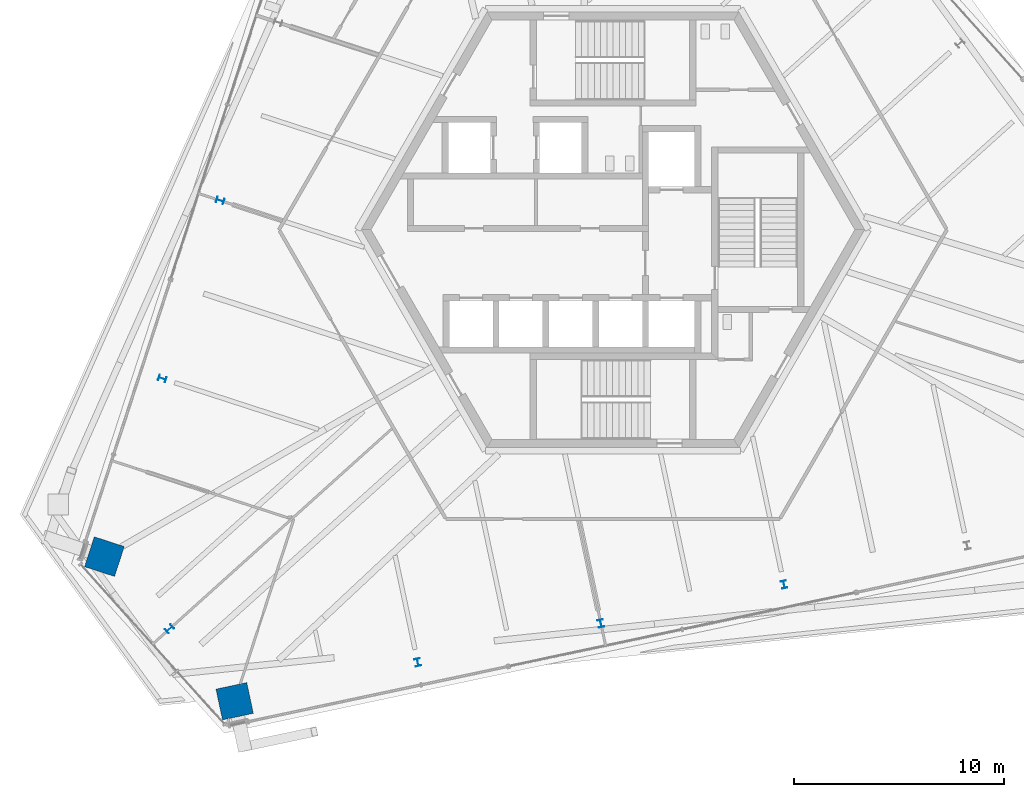
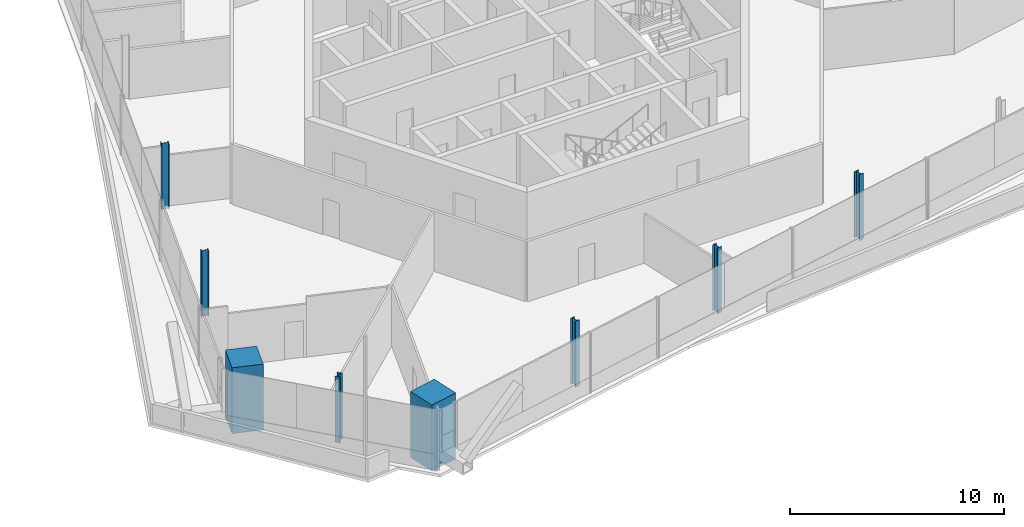
# One storey, part 1 of 20: 8 columns.
"""IFC4 building model written with IfcOpenShell, lengths in metres."""

import ifcopenshell
import ifcopenshell.guid

model = None  # the IFC model being written
_history = None  # IfcOwnerHistory: only IFC2X3 demands one
_inside = {}  # id of a spatial element -> (the spatial element, [elements in it])
_under = {}  # id of a project, library or spatial element -> (it, [spatial elements below it])
_declared = {}  # id of a project -> (the project, [libraries it declares])
_typed = {}  # id of a type object -> (the type object, [elements of that type])
_made_of = {}  # id of a material, layer set ... -> (it, [elements and type objects made of it])


def new_model(schema):
    """Start an empty IFC model of exactly this schema.

    Asked for "IFC4X3", IfcOpenShell would pick the latest addendum, in which some entities
    have other attributes; the version numbers below select the first issue.
    IFC2X3 requires an IfcOwnerHistory on every rooted entity: one is made here for all.
    """
    global model, _history
    if schema == "IFC4X3":
        model = ifcopenshell.file(schema_version=(4, 3, 0, 0))
    else:
        model = ifcopenshell.file(schema=schema)
    _inside.clear()
    _under.clear()
    _declared.clear()
    _typed.clear()
    _made_of.clear()
    _history = None
    if model.schema == "IFC2X3":
        org = make("IfcOrganization", Name="unknown")
        user = make(
            "IfcPersonAndOrganization",
            ThePerson=make("IfcPerson", FamilyName="unknown"),
            TheOrganization=org,
        )
        app = make(
            "IfcApplication",
            ApplicationDeveloper=org,
            Version="unknown",
            ApplicationFullName="unknown",
            ApplicationIdentifier="unknown",
        )
        _history = make(
            "IfcOwnerHistory",
            OwningUser=user,
            OwningApplication=app,
            ChangeAction="ADDED",
            CreationDate=0,
        )
    return model


def make(cls, **values):
    """One entity of the class cls with the attributes given. An attribute that is None is left unset."""
    return model.create_entity(
        cls, **{name: value for name, value in values.items() if value is not None}
    )


def rooted(cls, **values):
    """An entity with a GlobalId (a new one), such as an element, a storey or a relation."""
    return make(cls, GlobalId=ifcopenshell.guid.new(), OwnerHistory=_history, **values)


def si_unit(unit_type, name, prefix=None):
    """IfcSIUnit, for example si_unit("LENGTHUNIT", "METRE", prefix="MILLI")."""
    return make("IfcSIUnit", UnitType=unit_type, Prefix=prefix, Name=name)


def assignment(units):
    """IfcUnitAssignment: the units of a project."""
    return None if units is None else make("IfcUnitAssignment", Units=units)


def point(xyz):
    """IfcCartesianPoint."""
    return None if xyz is None else make("IfcCartesianPoint", Coordinates=xyz)


def direction(xyz):
    """IfcDirection."""
    return None if xyz is None else make("IfcDirection", DirectionRatios=xyz)


def frame(location, z_axis=None, x_axis=None):
    """IfcAxis2Placement3D, a coordinate frame: its origin and axes. An axis left out is left unset."""
    return make(
        "IfcAxis2Placement3D",
        Location=point(location),
        Axis=direction(z_axis),
        RefDirection=direction(x_axis),
    )


def frame_2d(location, x_axis=None):
    """IfcAxis2Placement2D, a coordinate frame in the plane: its origin and x axis."""
    return make(
        "IfcAxis2Placement2D", Location=point(location), RefDirection=direction(x_axis)
    )


def origin():
    """The frame at (0, 0, 0) with its axes left unset."""
    return frame((0.0, 0.0, 0.0))


def origin_2d():
    """The frame at (0, 0) in the plane with its x axis left unset."""
    return frame_2d((0.0, 0.0))


def place(relative_to, where):
    """IfcLocalPlacement: puts the frame where relative to a parent placement (None: the world)."""
    return make(
        "IfcLocalPlacement", PlacementRelTo=relative_to, RelativePlacement=where
    )


def context(
    kind, dimensions, precision=None, world=None, true_north=None, identifier=None
):
    """IfcGeometricRepresentationContext, for example the 3D "Model" context."""
    return make(
        "IfcGeometricRepresentationContext",
        ContextIdentifier=identifier,
        ContextType=kind,
        CoordinateSpaceDimension=dimensions,
        Precision=precision,
        WorldCoordinateSystem=world,
        TrueNorth=true_north,
    )


def subcontext(parent, identifier, kind, view, scale=None):
    """IfcGeometricRepresentationSubContext, for example "Body" below "Model"."""
    return make(
        "IfcGeometricRepresentationSubContext",
        ContextIdentifier=identifier,
        ContextType=kind,
        ParentContext=parent,
        TargetScale=scale,
        TargetView=view,
    )


def project(units=None, contexts=None):
    """IfcProject with its units and contexts."""
    return rooted(
        "IfcProject",
        Name="project",
        RepresentationContexts=contexts,
        UnitsInContext=assignment(units),
    )


def spatial(cls, under=None, at=None, **own):
    """A site, building, storey or space (cls), placed at a placement, below another one or the project."""
    s = rooted(cls, ObjectPlacement=at, **own)
    if under is not None:
        _under.setdefault(under.id(), (under, []))[1].append(s)
    return s


def profile(cls, at=None, kind="AREA", **sizes):
    """A parametric profile (cls). Its sizes go by their IFC names, for example OverallWidth=200.0."""
    return make(cls, ProfileType=kind, Position=at, **sizes)


def rectangle(**sizes):
    """IfcRectangleProfileDef."""
    return profile("IfcRectangleProfileDef", **sizes)


def i_section(**sizes):
    """IfcIShapeProfileDef."""
    return profile("IfcIShapeProfileDef", **sizes)


def extrude(swept, where, along, depth):
    """IfcExtrudedAreaSolid: the profile swept, set in the frame where, extruded along a direction by depth."""
    return make(
        "IfcExtrudedAreaSolid",
        SweptArea=swept,
        Position=where,
        ExtrudedDirection=direction(along),
        Depth=depth,
    )


def shape(context_of_items, identifier, shape_type, items):
    """IfcShapeRepresentation: the items that make up one representation, for example the "Body"."""
    return make(
        "IfcShapeRepresentation",
        ContextOfItems=context_of_items,
        RepresentationIdentifier=identifier,
        RepresentationType=shape_type,
        Items=items,
    )


def source(mapping_origin, context_of_items, identifier, shape_type, items):
    """IfcRepresentationMap: a shape defined once, which mapped items show again and again."""
    return make(
        "IfcRepresentationMap",
        MappingOrigin=mapping_origin,
        MappedRepresentation=shape(context_of_items, identifier, shape_type, items),
    )


def transform(
    local_origin,
    x_axis=None,
    y_axis=None,
    z_axis=None,
    scale=None,
    scale2=None,
    scale3=None,
    uniform=True,
):
    """IfcCartesianTransformationOperator3D, or its non-uniform kind. x_axis, y_axis, z_axis: its Axis1, 2, 3."""
    if uniform:
        return make(
            "IfcCartesianTransformationOperator3D",
            Axis1=direction(x_axis),
            Axis2=direction(y_axis),
            LocalOrigin=point(local_origin),
            Scale=scale,
            Axis3=direction(z_axis),
        )
    return make(
        "IfcCartesianTransformationOperator3DnonUniform",
        Axis1=direction(x_axis),
        Axis2=direction(y_axis),
        LocalOrigin=point(local_origin),
        Scale=scale,
        Axis3=direction(z_axis),
        Scale2=scale2,
        Scale3=scale3,
    )


def mapped(mapping_source, mapping_target):
    """IfcMappedItem: shows the shape of a source again, moved by a transform."""
    return make(
        "IfcMappedItem", MappingSource=mapping_source, MappingTarget=mapping_target
    )


def material(Name=None, Category=None):
    """IfcMaterial."""
    return make("IfcMaterial", Name=Name, Category=Category)


def material_profile(
    of_material, cross_section, Name=None, Category=None, Priority=None
):
    """IfcMaterialProfile: a cross section and its material."""
    return make(
        "IfcMaterialProfile",
        Name=Name,
        Material=of_material,
        Profile=cross_section,
        Priority=Priority,
        Category=Category,
    )


def profile_set(profiles, Name=None, composite=None):
    """IfcMaterialProfileSet."""
    return make(
        "IfcMaterialProfileSet",
        Name=Name,
        MaterialProfiles=profiles,
        CompositeProfile=composite,
    )


def made_of(thing, what):
    """Note that an element or type object is made of a material, layer set ...; save() writes the relation."""
    if what is not None:
        _made_of.setdefault(what.id(), (what, []))[1].append(thing)
    return thing


def type_object(cls, material=None, **own):
    """A type object (cls), such as IfcWallType, which elements share."""
    return made_of(rooted(cls, **own), material)


def element(
    cls,
    number,
    at=None,
    inside=None,
    cuts=None,
    type_object=None,
    material=None,
    context=None,
    identifier="Body",
    shape_type=None,
    held_by="IfcProductDefinitionShape",
    body=None,
    shapes=None,
    **own,
):
    """One element of the class cls, such as IfcWall. Its Tag is "e" and its number.

    at: its placement. inside: the storey or other place that contains it. cuts: it is an
    opening in that element (IfcRelVoidsElement). A single representation is given by context,
    identifier, shape_type and body (its items); several are given by shapes. held_by: the class
    of the entity that holds the representations. save() writes the other relations.
    """
    e = rooted(cls, Tag="e%d" % number, ObjectPlacement=at, **own)
    if body is not None:
        shapes = [shape(context, identifier, shape_type, body)]
    if shapes is not None:
        e.Representation = make(held_by, Representations=shapes)
    if inside is not None:
        _inside.setdefault(inside.id(), (inside, []))[1].append(e)
    if cuts is not None:
        rooted(
            "IfcRelVoidsElement", RelatingBuildingElement=cuts, RelatedOpeningElement=e
        )
    if type_object is not None:
        _typed.setdefault(type_object.id(), (type_object, []))[1].append(e)
    return made_of(e, material)


def aggregate(whole, parts):
    """IfcRelAggregates: a whole, such as a stair, and the parts it consists of."""
    return rooted("IfcRelAggregates", RelatingObject=whole, RelatedObjects=parts)


def save(model, path):
    """Write the relations noted so far, then the file.

    IfcRelAggregates (storeys below a building ...), IfcRelContainedInSpatialStructure (elements
    in a storey), IfcRelDefinesByType, IfcRelAssociatesMaterial and IfcRelDeclares: one each for
    every whole, place, type object, material and project.
    """
    for whole, parts in _under.values():
        aggregate(whole, parts)
    for where, things in _inside.values():
        rooted(
            "IfcRelContainedInSpatialStructure",
            RelatedElements=things,
            RelatingStructure=where,
        )
    for kind, things in _typed.values():
        rooted("IfcRelDefinesByType", RelatedObjects=things, RelatingType=kind)
    for what, things in _made_of.values():
        rooted("IfcRelAssociatesMaterial", RelatedObjects=things, RelatingMaterial=what)
    for by, libraries in _declared.values():
        rooted("IfcRelDeclares", RelatingContext=by, RelatedDefinitions=libraries)
    model.write(path)


model = new_model("IFC4")

# Units and contexts
model_context = context("Model", 3, precision=1e-05, world=origin(), true_north=direction((0.0, 1.0)))
body_context = subcontext(model_context, "Body", "Model", "MODEL_VIEW")
ifc_project = project(units=[si_unit("LENGTHUNIT", "METRE"), si_unit("AREAUNIT", "SQUARE_METRE"), si_unit("VOLUMEUNIT", "CUBIC_METRE"), si_unit("PLANEANGLEUNIT", "RADIAN"), si_unit("MASSUNIT", "GRAM", prefix="KILO")], contexts=[model_context])

# Site, building, storey
site_placement = place(None, origin())
site = spatial("IfcSite", under=ifc_project, at=site_placement, CompositionType="ELEMENT")
building_placement = place(site_placement, origin())
building = spatial("IfcBuilding", under=site, at=building_placement, Name="Triune Harvest Tower", CompositionType="ELEMENT")
storey_placement = place(building_placement, frame((0.0, 0.0, 259.5)))
storey = spatial("IfcBuildingStorey", under=building, at=storey_placement, Name="L68", CompositionType="ELEMENT", Elevation=259.5)

# Columns
ifc_material_1 = material(Name="Concrete 70 MPa", Category="concrete")
ifc_material_profile_1 = material_profile(ifc_material_1, rectangle(XDim=1.5, YDim=1.5, at=origin_2d()), Name="Composite 1500x1500")
ifc_profile_set_1 = profile_set([ifc_material_profile_1], Name="Concrete 70 MPa")
column_type_1 = type_object("IfcColumnType", Name="MC-7 Mega column Composite 1500x1500", PredefinedType="COLUMN", material=ifc_profile_set_1)
shared_shape_1 = source(origin(), body_context, "Body", "SweptSolid", [
    extrude(rectangle(XDim=1.5, YDim=1.5, at=origin_2d()), origin(), (0.0, 0.0, 1.0), 3.760009765625),
])
for number, where, z_axis, x_axis, name in (
    (1, (-24.24853515625, -15.58984375, -0.159912109375), (0.0, 0.0, 1.0), (-0.309015334468, -0.95105705563, 0.0), "col/L68/M12"),
    (2, (-18.0390625, -22.486083984375, -0.159912109375), (0.0, 0.0, 1.0), (0.978147237858, 0.207913398007, 0.0), "col/L68/M14"),
):
    element("IfcColumn", number, at=place(storey_placement, frame(where, z_axis=z_axis, x_axis=x_axis)), inside=storey, type_object=column_type_1, Name=name, PredefinedType="COLUMN", context=body_context, shape_type="MappedRepresentation", body=[
        mapped(shared_shape_1, transform((0.0, 0.0, 0.0), scale=1.0)),
    ])
ifc_material_2 = material(Name="Steel ASTM A992 Gr 50", Category="steel")
ifc_material_profile_2 = material_profile(ifc_material_2, i_section(OverallWidth=0.256591796875, OverallDepth=0.360595703125, WebThickness=0.011474609375, FlangeThickness=0.02001953125, at=origin_2d()), Name="W14x74")
ifc_profile_set_2 = profile_set([ifc_material_profile_2], Name="Steel ASTM A992 Gr 50")
column_type_2 = type_object("IfcColumnType", Name="PC-7 Perimeter column W14x74", PredefinedType="COLUMN", material=ifc_profile_set_2)
shared_shape_2 = source(origin(), body_context, "Body", "SweptSolid", [
    extrude(i_section(OverallWidth=0.256591796875, OverallDepth=0.360595703125, WebThickness=0.011474609375, FlangeThickness=0.02001953125, at=origin_2d()), origin(), (0.0, 0.0, 1.0), 3.760009765625),
])
for number, where, z_axis, x_axis, name in (
    (3, (-18.730712890625, 1.392333984375, -0.159912109375), (0.0, 0.0, 1.0), (-0.309015334468, -0.95105705563, 0.0), "col/L68/P10"),
    (4, (-21.48974609375, -7.098876953125, -0.159912109375), (0.0, 0.0, 1.0), (-0.309015334468, -0.95105705563, 0.0), "col/L68/P11"),
    (5, (-21.143798828125, -19.0380859375, -0.159912109375), (0.0, 0.0, 1.0), (0.669129309325, -0.743145993329, 0.0), "col/L68/P13"),
    (6, (-9.30615234375, -20.6298828125, -0.159912109375), (0.0, 0.0, 1.0), (0.978147237858, 0.207913398007, 0.0), "col/L68/P15"),
    (7, (-0.5732421875, -18.773681640625, -0.159912109375), (0.0, 0.0, 1.0), (0.978147237858, 0.207913398007, 0.0), "col/L68/P16"),
    (8, (8.15966796875, -16.91748046875, -0.159912109375), (0.0, 0.0, 1.0), (0.978147237858, 0.207913398007, 0.0), "col/L68/P17"),
):
    element("IfcColumn", number, at=place(storey_placement, frame(where, z_axis=z_axis, x_axis=x_axis)), inside=storey, type_object=column_type_2, Name=name, PredefinedType="COLUMN", context=body_context, shape_type="MappedRepresentation", body=[
        mapped(shared_shape_2, transform((0.0, 0.0, 0.0), scale=1.0)),
    ])

save(model, "model.ifc")
